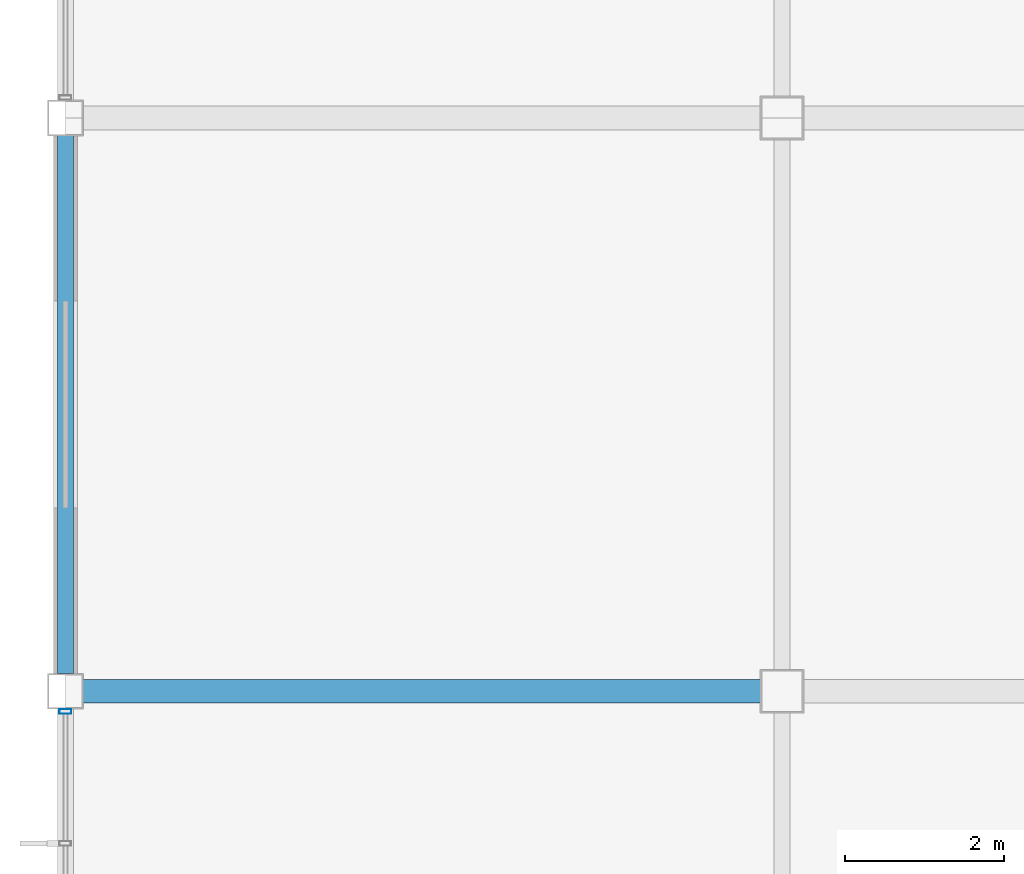
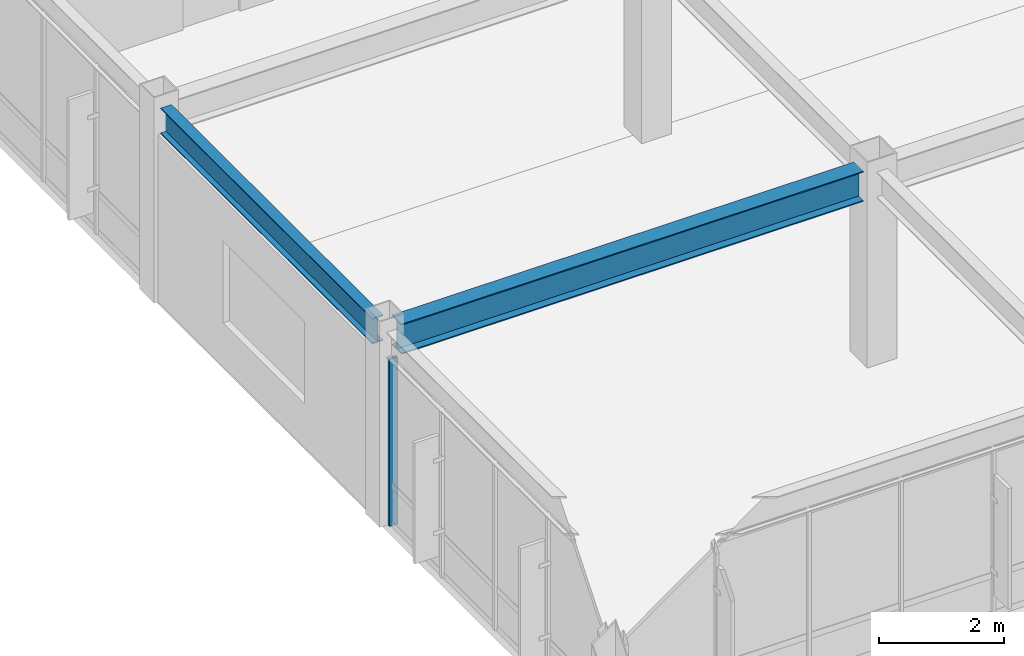
# One storey, part 51 of 122: 2 beams, 1 member, 1 element without a shape of its own.
"""IFC4 building model written with IfcOpenShell, lengths in metres."""

from ifc_helpers import new_model, si_unit, direction, frame, origin, origin_2d, place, context, subcontext, project, spatial, hollow_rectangle, i_section, extrude, material, material_profile, profile_set, type_object, element, aggregate, save


model = new_model("IFC4")

# Units and contexts
model_context = context("Model", 3, precision=1e-05, world=origin(), true_north=direction((0.0, 1.0)))
body_context = subcontext(model_context, "Body", "Model", "MODEL_VIEW")
ifc_project = project(units=[si_unit("LENGTHUNIT", "METRE"), si_unit("AREAUNIT", "SQUARE_METRE"), si_unit("VOLUMEUNIT", "CUBIC_METRE"), si_unit("PLANEANGLEUNIT", "RADIAN"), si_unit("MASSUNIT", "GRAM", prefix="KILO")], contexts=[model_context])

# Site, building, storey
site_placement = place(None, origin())
site = spatial("IfcSite", under=ifc_project, at=site_placement, CompositionType="ELEMENT")
building_placement = place(site_placement, origin())
building = spatial("IfcBuilding", under=site, at=building_placement, Name="Kazanami Central Library", CompositionType="ELEMENT")
storey_placement = place(building_placement, frame((0.0, 0.0, 4.800048828125)))
storey = spatial("IfcBuildingStorey", under=building, at=storey_placement, Name="L02", CompositionType="ELEMENT", Elevation=4.800048828125)

# Beams
ifc_material_1 = material(Name="Steel SN490B (325 MPa)", Category="steel")
ifc_material_profile_1 = material_profile(ifc_material_1, i_section(OverallWidth=0.300048828125, OverallDepth=0.587890625, WebThickness=0.011962890625, FlangeThickness=0.02001953125, at=origin_2d()), Name="H-588x300x12x20")
ifc_profile_set_1 = profile_set([ifc_material_profile_1], Name="Steel SN490B (325 MPa)")
beam_type_1 = type_object("IfcBeamType", Name="BM-G-X2", PredefinedType="BEAM", material=ifc_profile_set_1)
beam_1_placement = place(storey_placement, frame((0.222900390625, 64.800048828125, 3.4609375), z_axis=(1.0, 0.0, 0.0), x_axis=(0.0, 1.0, 0.0)))
element("IfcBeam", 1, at=beam_1_placement, inside=storey, type_object=beam_type_1, Name="Girder G-X2 L02 K/1-2", PredefinedType="BEAM", context=body_context, shape_type="SweptSolid", body=[
    extrude(i_section(OverallWidth=0.300048828125, OverallDepth=0.587890625, WebThickness=0.011962890625, FlangeThickness=0.02001953125, at=origin_2d()), origin(), (0.0, 0.0, 1.0), 8.504150390625),
])
ifc_material_profile_2 = material_profile(ifc_material_1, i_section(OverallWidth=0.199951171875, OverallDepth=0.5, WebThickness=0.010009765625, FlangeThickness=0.01611328125, at=origin_2d()), Name="H-500x200x10x16")
ifc_profile_set_2 = profile_set([ifc_material_profile_2], Name="Steel SN490B (325 MPa)")
beam_type_2 = type_object("IfcBeamType", Name="BM-SP-1", PredefinedType="SPANDREL", material=ifc_profile_set_2)
beam_2_placement = place(storey_placement, frame((0.0, 65.02294921875, 3.5048828125), z_axis=(0.0, 1.0, 0.0), x_axis=(-1.0, 0.0, 0.0)))
element("IfcBeam", 2, at=beam_2_placement, inside=storey, type_object=beam_type_2, Name="Girder SP-1 L02 1/K-L", PredefinedType="SPANDREL", context=body_context, shape_type="SweptSolid", body=[
    extrude(i_section(OverallWidth=0.199951171875, OverallDepth=0.5, WebThickness=0.010009765625, FlangeThickness=0.01611328125, at=origin_2d()), origin(), (0.0, 0.0, 1.0), 6.754150390625),
])

# Curtain wall, member
ifc_material_2 = material(Name="Acid-Etched Low-E Laminated Glass", Category="glass")
curtain_wall_type = type_object("IfcCurtainWallType", Name="CW-6750x3255-M180", PredefinedType="USERDEFINED", material=ifc_material_2)
curtain_wall_placement = place(storey_placement, origin())
curtain_wall = element("IfcCurtainWall", 3, at=curtain_wall_placement, inside=storey, type_object=curtain_wall_type, Name="Unitised Curtain Wall CW-21 L02 W-1-08", ObjectType="UNITISED CURTAIN WALL", PredefinedType="USERDEFINED")
ifc_material_3 = material(Name="Anodised Aluminium A6063-T5", Category="aluminium")
ifc_material_profile_3 = material_profile(ifc_material_3, hollow_rectangle(XDim=0.06005859375, YDim=0.14990234375, WallThickness=0.00390625, at=origin_2d()), Name="ALU-MULL-60x150x4")
ifc_profile_set_3 = profile_set([ifc_material_profile_3], Name="Anodised Aluminium A6063-T5")
member_type = type_object("IfcMemberType", Name="MEM-CW-M3", PredefinedType="MULLION", material=ifc_profile_set_3)
member_placement = place(storey_placement, frame((0.0, 64.544921875, 0.0), z_axis=(0.0, 0.0, 1.0), x_axis=(0.0, 1.0, 0.0)))
member = element("IfcMember", 4, at=member_placement, type_object=member_type, Name="CW-21 mullion 5", PredefinedType="MULLION", context=body_context, shape_type="SweptSolid", body=[
    extrude(hollow_rectangle(XDim=0.06005859375, YDim=0.14990234375, WallThickness=0.00390625, at=origin_2d()), origin(), (0.0, 0.0, 1.0), 3.2548828125),
])
aggregate(curtain_wall, [member])

save(model, "model.ifc")
